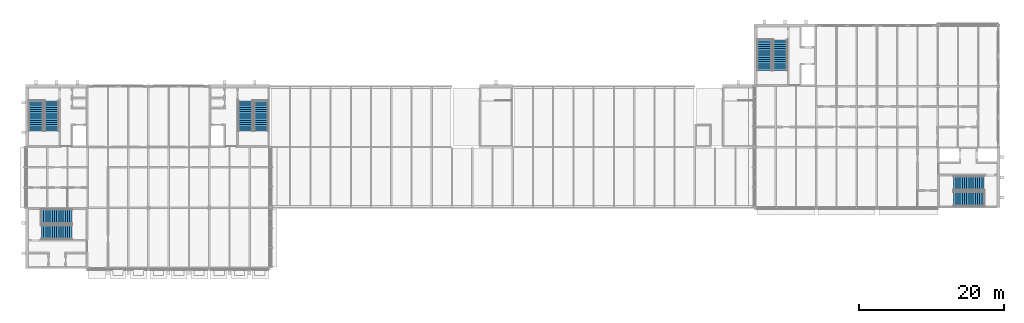
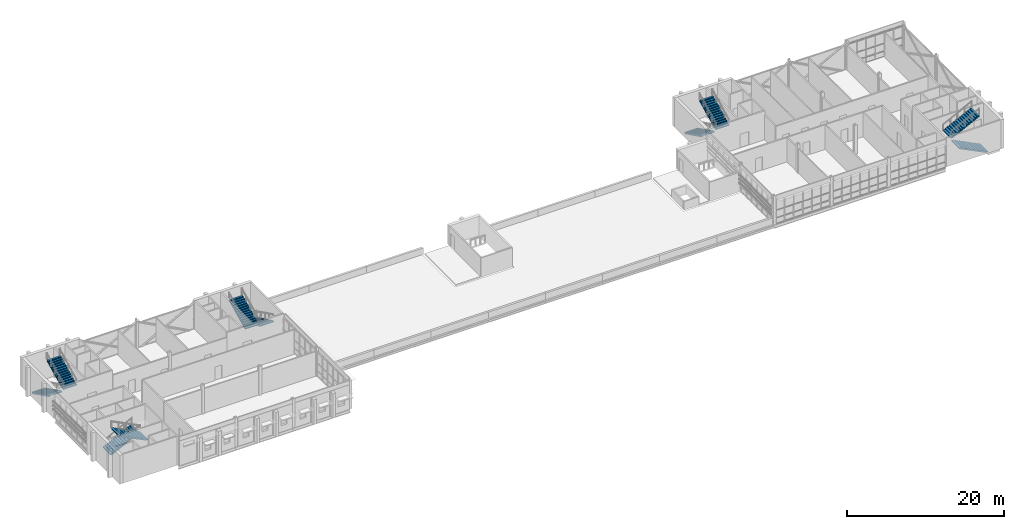
# One storey, part 25 of 29: 10 stair flights, 5 elements without a shape of their own.
"""IFC4 building model written with IfcOpenShell, lengths in metres."""

from ifc_helpers import new_model, si_unit, direction, frame, origin, place, context, subcontext, project, spatial, polyline, outline, extrude, material, type_object, element, aggregate, save


model = new_model("IFC4")

# Units and contexts
model_context = context("Model", 3, precision=1e-05, world=origin(), true_north=direction((0.0, 1.0)))
body_context = subcontext(model_context, "Body", "Model", "MODEL_VIEW")
ifc_project = project(units=[si_unit("LENGTHUNIT", "METRE"), si_unit("AREAUNIT", "SQUARE_METRE"), si_unit("VOLUMEUNIT", "CUBIC_METRE"), si_unit("PLANEANGLEUNIT", "RADIAN"), si_unit("MASSUNIT", "GRAM", prefix="KILO")], contexts=[model_context])

# Site, building, storey
site_placement = place(None, origin())
site = spatial("IfcSite", under=ifc_project, at=site_placement, CompositionType="ELEMENT")
building_placement = place(site_placement, origin())
building = spatial("IfcBuilding", under=site, at=building_placement, Name="Ardhachandra Cancer Care Centre", CompositionType="ELEMENT")
storey_placement = place(building_placement, frame((0.0, 0.0, 13.5)))
storey = spatial("IfcBuildingStorey", under=building, at=storey_placement, Name="L03", CompositionType="ELEMENT", Elevation=13.5)

# Stair, stair flights
ifc_material_1 = material(Name="Concrete M40", Category="concrete")
stair_type = type_object("IfcStairType", Name="Dog-leg stair 2000", PredefinedType="HALF_TURN_STAIR", material=ifc_material_1)
stair_1_placement = place(storey_placement, origin())
stair_1 = element("IfcStair", 1, at=stair_1_placement, inside=storey, type_object=stair_type, Name="Stair K4 L03-L04", PredefinedType="HALF_TURN_STAIR")
ifc_material_2 = material(Name="Concrete M40", Category="concrete")
stair_flight_type = type_object("IfcStairFlightType", Name="Stair flight 2000", PredefinedType="STRAIGHT", material=ifc_material_2)
stair_flight_1_placement = place(storey_placement, frame((12.02490234375, 94.60009765625, 0.0), z_axis=(0.0, 0.0, 1.0), x_axis=(0.0, -1.0, 0.0)))
stair_flight_1 = element("IfcStairFlight", 2, at=stair_flight_1_placement, type_object=stair_flight_type, Name="stair K4 L03-L04 flight 1", NumberOfRisers=15, NumberOfTreads=14, PredefinedType="STRAIGHT", RiserHeight=0.15, TreadLength=0.3, context=body_context, shape_type="SweptSolid", body=[
    extrude(outline(polyline([(0.0, 0.0), (0.0, 0.14990234375), (0.300048828125, 0.14990234375), (0.300048828125, 0.300048828125), (0.60009765625, 0.300048828125), (0.60009765625, 0.449951171875), (0.89990234375, 0.449951171875), (0.89990234375, 0.60009765625), (1.199951171875, 0.60009765625), (1.199951171875, 0.75), (1.5, 0.75), (1.5, 0.89990234375), (1.800048828125, 0.89990234375), (1.800048828125, 1.050048828125), (2.10009765625, 1.050048828125), (2.10009765625, 1.199951171875), (2.39990234375, 1.199951171875), (2.39990234375, 1.35009765625), (2.699951171875, 1.35009765625), (2.699951171875, 1.5), (3.0, 1.5), (3.0, 1.64990234375), (3.300048828125, 1.64990234375), (3.300048828125, 1.800048828125), (3.60009765625, 1.800048828125), (3.60009765625, 1.949951171875), (3.89990234375, 1.949951171875), (3.89990234375, 2.10009765625), (4.199951171875, 2.10009765625), (4.199951171875, 2.25), (4.199951171875, 1.932373046875), (0.335205078125, 0.0), (0.0, 0.0)])), frame((0.0, 1.0, 0.0), z_axis=(0.0, -1.0, 0.0), x_axis=(1.0, 0.0, 0.0)), (0.0, 0.0, 1.0), 2.0),
])
stair_flight_2_placement = place(storey_placement, frame((14.22509765625, 90.39990234375, 2.25), z_axis=(0.0, 0.0, 1.0), x_axis=(0.0, 1.0, 0.0)))
stair_flight_2 = element("IfcStairFlight", 3, at=stair_flight_2_placement, type_object=stair_flight_type, Name="stair K4 L03-L04 flight 2", NumberOfRisers=15, NumberOfTreads=14, PredefinedType="STRAIGHT", RiserHeight=0.15, TreadLength=0.3, context=body_context, shape_type="SweptSolid", body=[
    extrude(outline(polyline([(0.0, 0.0), (0.0, 0.14990234375), (0.300048828125, 0.14990234375), (0.300048828125, 0.300048828125), (0.60009765625, 0.300048828125), (0.60009765625, 0.449951171875), (0.89990234375, 0.449951171875), (0.89990234375, 0.60009765625), (1.199951171875, 0.60009765625), (1.199951171875, 0.75), (1.5, 0.75), (1.5, 0.89990234375), (1.800048828125, 0.89990234375), (1.800048828125, 1.050048828125), (2.10009765625, 1.050048828125), (2.10009765625, 1.199951171875), (2.39990234375, 1.199951171875), (2.39990234375, 1.35009765625), (2.699951171875, 1.35009765625), (2.699951171875, 1.5), (3.0, 1.5), (3.0, 1.64990234375), (3.300048828125, 1.64990234375), (3.300048828125, 1.800048828125), (3.60009765625, 1.800048828125), (3.60009765625, 1.949951171875), (3.89990234375, 1.949951171875), (3.89990234375, 2.10009765625), (4.199951171875, 2.10009765625), (4.199951171875, 2.25), (4.199951171875, 1.932373046875), (0.335205078125, 0.0), (0.0, 0.0)])), frame((0.0, 1.0, 0.0), z_axis=(0.0, -1.0, 0.0), x_axis=(1.0, 0.0, 0.0)), (0.0, 0.0, 1.0), 2.0),
])
aggregate(stair_1, [stair_flight_1, stair_flight_2])

stair_2_placement = place(storey_placement, origin())
stair_2 = element("IfcStair", 4, at=stair_2_placement, inside=storey, type_object=stair_type, Name="Stair K5 L03-L04", PredefinedType="HALF_TURN_STAIR")
stair_flight_3_placement = place(storey_placement, frame((43.199951171875, 94.60009765625, 0.0), z_axis=(0.0, 0.0, 1.0), x_axis=(0.0, -1.0, 0.0)))
stair_flight_3 = element("IfcStairFlight", 5, at=stair_flight_3_placement, type_object=stair_flight_type, Name="stair K5 L03-L04 flight 1", NumberOfRisers=15, NumberOfTreads=14, PredefinedType="STRAIGHT", RiserHeight=0.15, TreadLength=0.3, context=body_context, shape_type="SweptSolid", body=[
    extrude(outline(polyline([(0.0, 0.0), (0.0, 0.14990234375), (0.300048828125, 0.14990234375), (0.300048828125, 0.300048828125), (0.60009765625, 0.300048828125), (0.60009765625, 0.449951171875), (0.89990234375, 0.449951171875), (0.89990234375, 0.60009765625), (1.199951171875, 0.60009765625), (1.199951171875, 0.75), (1.5, 0.75), (1.5, 0.89990234375), (1.800048828125, 0.89990234375), (1.800048828125, 1.050048828125), (2.10009765625, 1.050048828125), (2.10009765625, 1.199951171875), (2.39990234375, 1.199951171875), (2.39990234375, 1.35009765625), (2.699951171875, 1.35009765625), (2.699951171875, 1.5), (3.0, 1.5), (3.0, 1.64990234375), (3.300048828125, 1.64990234375), (3.300048828125, 1.800048828125), (3.60009765625, 1.800048828125), (3.60009765625, 1.949951171875), (3.89990234375, 1.949951171875), (3.89990234375, 2.10009765625), (4.199951171875, 2.10009765625), (4.199951171875, 2.25), (4.199951171875, 1.932373046875), (0.335205078125, 0.0), (0.0, 0.0)])), frame((0.0, 1.0, 0.0), z_axis=(0.0, -1.0, 0.0), x_axis=(1.0, 0.0, 0.0)), (0.0, 0.0, 1.0), 2.0),
])
stair_flight_4_placement = place(storey_placement, frame((41.0, 90.39990234375, 2.25), z_axis=(0.0, 0.0, 1.0), x_axis=(0.0, 1.0, 0.0)))
stair_flight_4 = element("IfcStairFlight", 6, at=stair_flight_4_placement, type_object=stair_flight_type, Name="stair K5 L03-L04 flight 2", NumberOfRisers=15, NumberOfTreads=14, PredefinedType="STRAIGHT", RiserHeight=0.15, TreadLength=0.3, context=body_context, shape_type="SweptSolid", body=[
    extrude(outline(polyline([(0.0, 0.0), (0.0, 0.14990234375), (0.300048828125, 0.14990234375), (0.300048828125, 0.300048828125), (0.60009765625, 0.300048828125), (0.60009765625, 0.449951171875), (0.89990234375, 0.449951171875), (0.89990234375, 0.60009765625), (1.199951171875, 0.60009765625), (1.199951171875, 0.75), (1.5, 0.75), (1.5, 0.89990234375), (1.800048828125, 0.89990234375), (1.800048828125, 1.050048828125), (2.10009765625, 1.050048828125), (2.10009765625, 1.199951171875), (2.39990234375, 1.199951171875), (2.39990234375, 1.35009765625), (2.699951171875, 1.35009765625), (2.699951171875, 1.5), (3.0, 1.5), (3.0, 1.64990234375), (3.300048828125, 1.64990234375), (3.300048828125, 1.800048828125), (3.60009765625, 1.800048828125), (3.60009765625, 1.949951171875), (3.89990234375, 1.949951171875), (3.89990234375, 2.10009765625), (4.199951171875, 2.10009765625), (4.199951171875, 2.25), (4.199951171875, 1.932373046875), (0.335205078125, 0.0), (0.0, 0.0)])), frame((0.0, 1.0, 0.0), z_axis=(0.0, -1.0, 0.0), x_axis=(1.0, 0.0, 0.0)), (0.0, 0.0, 1.0), 2.0),
])
aggregate(stair_2, [stair_flight_3, stair_flight_4])

stair_3_placement = place(storey_placement, origin())
stair_3 = element("IfcStair", 7, at=stair_3_placement, inside=storey, type_object=stair_type, Name="Stair K6 L03-L04", PredefinedType="HALF_TURN_STAIR")
stair_flight_5_placement = place(storey_placement, frame((12.800048828125, 78.60009765625, 0.0), z_axis=(0.0, 0.0, 1.0), x_axis=(1.0, 0.0, 0.0)))
stair_flight_5 = element("IfcStairFlight", 8, at=stair_flight_5_placement, type_object=stair_flight_type, Name="stair K6 L03-L04 flight 1", NumberOfRisers=15, NumberOfTreads=14, PredefinedType="STRAIGHT", RiserHeight=0.15, TreadLength=0.3, context=body_context, shape_type="SweptSolid", body=[
    extrude(outline(polyline([(0.0, 0.0), (0.0, 0.14990234375), (0.300048828125, 0.14990234375), (0.300048828125, 0.300048828125), (0.60009765625, 0.300048828125), (0.60009765625, 0.449951171875), (0.89990234375, 0.449951171875), (0.89990234375, 0.60009765625), (1.199951171875, 0.60009765625), (1.199951171875, 0.75), (1.5, 0.75), (1.5, 0.89990234375), (1.800048828125, 0.89990234375), (1.800048828125, 1.050048828125), (2.10009765625, 1.050048828125), (2.10009765625, 1.199951171875), (2.39990234375, 1.199951171875), (2.39990234375, 1.35009765625), (2.699951171875, 1.35009765625), (2.699951171875, 1.5), (3.0, 1.5), (3.0, 1.64990234375), (3.300048828125, 1.64990234375), (3.300048828125, 1.800048828125), (3.60009765625, 1.800048828125), (3.60009765625, 1.949951171875), (3.89990234375, 1.949951171875), (3.89990234375, 2.10009765625), (4.199951171875, 2.10009765625), (4.199951171875, 2.25), (4.199951171875, 1.932373046875), (0.335205078125, 0.0), (0.0, 0.0)])), frame((0.0, 1.0, 0.0), z_axis=(0.0, -1.0, 0.0), x_axis=(1.0, 0.0, 0.0)), (0.0, 0.0, 1.0), 2.0),
])
stair_flight_6_placement = place(storey_placement, frame((17.0, 76.39990234375, 2.25), z_axis=(0.0, 0.0, 1.0), x_axis=(-1.0, 0.0, 0.0)))
stair_flight_6 = element("IfcStairFlight", 9, at=stair_flight_6_placement, type_object=stair_flight_type, Name="stair K6 L03-L04 flight 2", NumberOfRisers=15, NumberOfTreads=14, PredefinedType="STRAIGHT", RiserHeight=0.15, TreadLength=0.3, context=body_context, shape_type="SweptSolid", body=[
    extrude(outline(polyline([(0.0, 0.0), (0.0, 0.14990234375), (0.300048828125, 0.14990234375), (0.300048828125, 0.300048828125), (0.60009765625, 0.300048828125), (0.60009765625, 0.449951171875), (0.89990234375, 0.449951171875), (0.89990234375, 0.60009765625), (1.199951171875, 0.60009765625), (1.199951171875, 0.75), (1.5, 0.75), (1.5, 0.89990234375), (1.800048828125, 0.89990234375), (1.800048828125, 1.050048828125), (2.10009765625, 1.050048828125), (2.10009765625, 1.199951171875), (2.39990234375, 1.199951171875), (2.39990234375, 1.35009765625), (2.699951171875, 1.35009765625), (2.699951171875, 1.5), (3.0, 1.5), (3.0, 1.64990234375), (3.300048828125, 1.64990234375), (3.300048828125, 1.800048828125), (3.60009765625, 1.800048828125), (3.60009765625, 1.949951171875), (3.89990234375, 1.949951171875), (3.89990234375, 2.10009765625), (4.199951171875, 2.10009765625), (4.199951171875, 2.25), (4.199951171875, 1.932373046875), (0.335205078125, 0.0), (0.0, 0.0)])), frame((0.0, 1.0, 0.0), z_axis=(0.0, -1.0, 0.0), x_axis=(1.0, 0.0, 0.0)), (0.0, 0.0, 1.0), 2.0),
])
aggregate(stair_3, [stair_flight_5, stair_flight_6])

stair_4_placement = place(storey_placement, origin())
stair_4 = element("IfcStair", 10, at=stair_4_placement, inside=storey, type_object=stair_type, Name="Stair K12 L03-L04", PredefinedType="HALF_TURN_STAIR")
stair_flight_7_placement = place(storey_placement, frame((112.824951171875, 103.0, 0.0), z_axis=(0.0, 0.0, 1.0), x_axis=(0.0, -1.0, 0.0)))
stair_flight_7 = element("IfcStairFlight", 11, at=stair_flight_7_placement, type_object=stair_flight_type, Name="stair K12 L03-L04 flight 1", NumberOfRisers=15, NumberOfTreads=14, PredefinedType="STRAIGHT", RiserHeight=0.15, TreadLength=0.3, context=body_context, shape_type="SweptSolid", body=[
    extrude(outline(polyline([(0.0, 0.0), (0.0, 0.14990234375), (0.300048828125, 0.14990234375), (0.300048828125, 0.300048828125), (0.60009765625, 0.300048828125), (0.60009765625, 0.449951171875), (0.89990234375, 0.449951171875), (0.89990234375, 0.60009765625), (1.199951171875, 0.60009765625), (1.199951171875, 0.75), (1.5, 0.75), (1.5, 0.89990234375), (1.800048828125, 0.89990234375), (1.800048828125, 1.050048828125), (2.10009765625, 1.050048828125), (2.10009765625, 1.199951171875), (2.39990234375, 1.199951171875), (2.39990234375, 1.35009765625), (2.699951171875, 1.35009765625), (2.699951171875, 1.5), (3.0, 1.5), (3.0, 1.64990234375), (3.300048828125, 1.64990234375), (3.300048828125, 1.800048828125), (3.60009765625, 1.800048828125), (3.60009765625, 1.949951171875), (3.89990234375, 1.949951171875), (3.89990234375, 2.10009765625), (4.199951171875, 2.10009765625), (4.199951171875, 2.25), (4.199951171875, 1.932373046875), (0.335205078125, 0.0), (0.0, 0.0)])), frame((0.0, 1.0, 0.0), z_axis=(0.0, -1.0, 0.0), x_axis=(1.0, 0.0, 0.0)), (0.0, 0.0, 1.0), 2.0),
])
stair_flight_8_placement = place(storey_placement, frame((115.02490234375, 98.800048828125, 2.25), z_axis=(0.0, 0.0, 1.0), x_axis=(0.0, 1.0, 0.0)))
stair_flight_8 = element("IfcStairFlight", 12, at=stair_flight_8_placement, type_object=stair_flight_type, Name="stair K12 L03-L04 flight 2", NumberOfRisers=15, NumberOfTreads=14, PredefinedType="STRAIGHT", RiserHeight=0.15, TreadLength=0.3, context=body_context, shape_type="SweptSolid", body=[
    extrude(outline(polyline([(0.0, 0.0), (0.0, 0.14990234375), (0.300048828125, 0.14990234375), (0.300048828125, 0.300048828125), (0.60009765625, 0.300048828125), (0.60009765625, 0.449951171875), (0.89990234375, 0.449951171875), (0.89990234375, 0.60009765625), (1.199951171875, 0.60009765625), (1.199951171875, 0.75), (1.5, 0.75), (1.5, 0.89990234375), (1.800048828125, 0.89990234375), (1.800048828125, 1.050048828125), (2.10009765625, 1.050048828125), (2.10009765625, 1.199951171875), (2.39990234375, 1.199951171875), (2.39990234375, 1.35009765625), (2.699951171875, 1.35009765625), (2.699951171875, 1.5), (3.0, 1.5), (3.0, 1.64990234375), (3.300048828125, 1.64990234375), (3.300048828125, 1.800048828125), (3.60009765625, 1.800048828125), (3.60009765625, 1.949951171875), (3.89990234375, 1.949951171875), (3.89990234375, 2.10009765625), (4.199951171875, 2.10009765625), (4.199951171875, 2.25), (4.199951171875, 1.932373046875), (0.335205078125, 0.0), (0.0, 0.0)])), frame((0.0, 1.0, 0.0), z_axis=(0.0, -1.0, 0.0), x_axis=(1.0, 0.0, 0.0)), (0.0, 0.0, 1.0), 2.0),
])
aggregate(stair_4, [stair_flight_7, stair_flight_8])

stair_5_placement = place(storey_placement, origin())
stair_5 = element("IfcStair", 13, at=stair_5_placement, inside=storey, type_object=stair_type, Name="Stair K13 L03-L04", PredefinedType="HALF_TURN_STAIR")
stair_flight_9_placement = place(storey_placement, frame((143.199951171875, 81.0, 0.0), z_axis=(0.0, 0.0, 1.0), x_axis=(-1.0, 0.0, 0.0)))
stair_flight_9 = element("IfcStairFlight", 14, at=stair_flight_9_placement, type_object=stair_flight_type, Name="stair K13 L03-L04 flight 1", NumberOfRisers=15, NumberOfTreads=14, PredefinedType="STRAIGHT", RiserHeight=0.15, TreadLength=0.3, context=body_context, shape_type="SweptSolid", body=[
    extrude(outline(polyline([(0.0, 0.0), (0.0, 0.14990234375), (0.300048828125, 0.14990234375), (0.300048828125, 0.300048828125), (0.60009765625, 0.300048828125), (0.60009765625, 0.449951171875), (0.89990234375, 0.449951171875), (0.89990234375, 0.60009765625), (1.199951171875, 0.60009765625), (1.199951171875, 0.75), (1.5, 0.75), (1.5, 0.89990234375), (1.800048828125, 0.89990234375), (1.800048828125, 1.050048828125), (2.10009765625, 1.050048828125), (2.10009765625, 1.199951171875), (2.39990234375, 1.199951171875), (2.39990234375, 1.35009765625), (2.699951171875, 1.35009765625), (2.699951171875, 1.5), (3.0, 1.5), (3.0, 1.64990234375), (3.300048828125, 1.64990234375), (3.300048828125, 1.800048828125), (3.60009765625, 1.800048828125), (3.60009765625, 1.949951171875), (3.89990234375, 1.949951171875), (3.89990234375, 2.10009765625), (4.199951171875, 2.10009765625), (4.199951171875, 2.25), (4.199951171875, 1.932373046875), (0.335205078125, 0.0), (0.0, 0.0)])), frame((0.0, 1.0, 0.0), z_axis=(0.0, -1.0, 0.0), x_axis=(1.0, 0.0, 0.0)), (0.0, 0.0, 1.0), 2.0),
])
stair_flight_10_placement = place(storey_placement, frame((139.0, 83.199951171875, 2.25), z_axis=(0.0, 0.0, 1.0), x_axis=(1.0, 0.0, 0.0)))
stair_flight_10 = element("IfcStairFlight", 15, at=stair_flight_10_placement, type_object=stair_flight_type, Name="stair K13 L03-L04 flight 2", NumberOfRisers=15, NumberOfTreads=14, PredefinedType="STRAIGHT", RiserHeight=0.15, TreadLength=0.3, context=body_context, shape_type="SweptSolid", body=[
    extrude(outline(polyline([(0.0, 0.0), (0.0, 0.14990234375), (0.300048828125, 0.14990234375), (0.300048828125, 0.300048828125), (0.60009765625, 0.300048828125), (0.60009765625, 0.449951171875), (0.89990234375, 0.449951171875), (0.89990234375, 0.60009765625), (1.199951171875, 0.60009765625), (1.199951171875, 0.75), (1.5, 0.75), (1.5, 0.89990234375), (1.800048828125, 0.89990234375), (1.800048828125, 1.050048828125), (2.10009765625, 1.050048828125), (2.10009765625, 1.199951171875), (2.39990234375, 1.199951171875), (2.39990234375, 1.35009765625), (2.699951171875, 1.35009765625), (2.699951171875, 1.5), (3.0, 1.5), (3.0, 1.64990234375), (3.300048828125, 1.64990234375), (3.300048828125, 1.800048828125), (3.60009765625, 1.800048828125), (3.60009765625, 1.949951171875), (3.89990234375, 1.949951171875), (3.89990234375, 2.10009765625), (4.199951171875, 2.10009765625), (4.199951171875, 2.25), (4.199951171875, 1.932373046875), (0.335205078125, 0.0), (0.0, 0.0)])), frame((0.0, 1.0, 0.0), z_axis=(0.0, -1.0, 0.0), x_axis=(1.0, 0.0, 0.0)), (0.0, 0.0, 1.0), 2.0),
])
aggregate(stair_5, [stair_flight_9, stair_flight_10])

save(model, "model.ifc")
